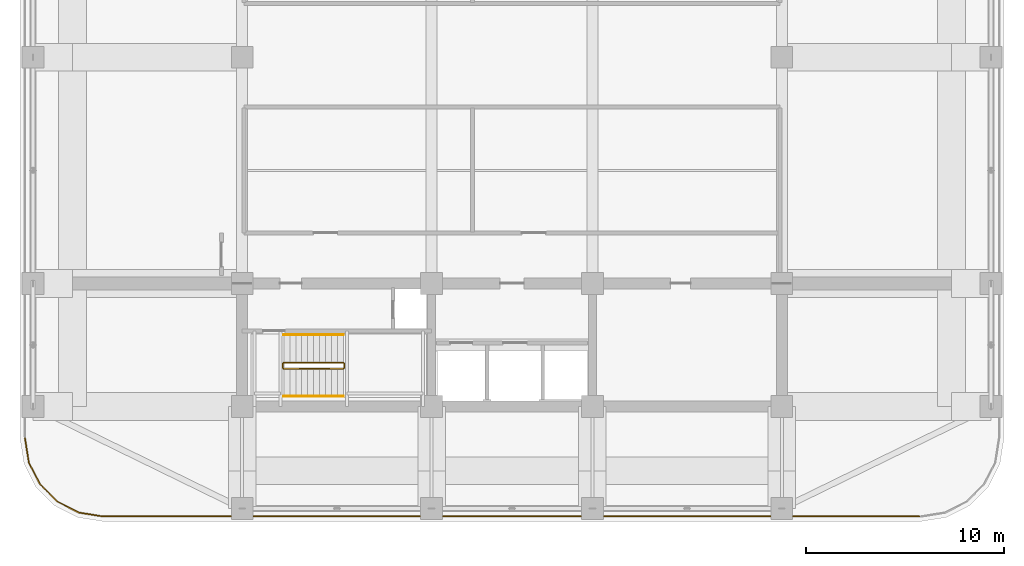
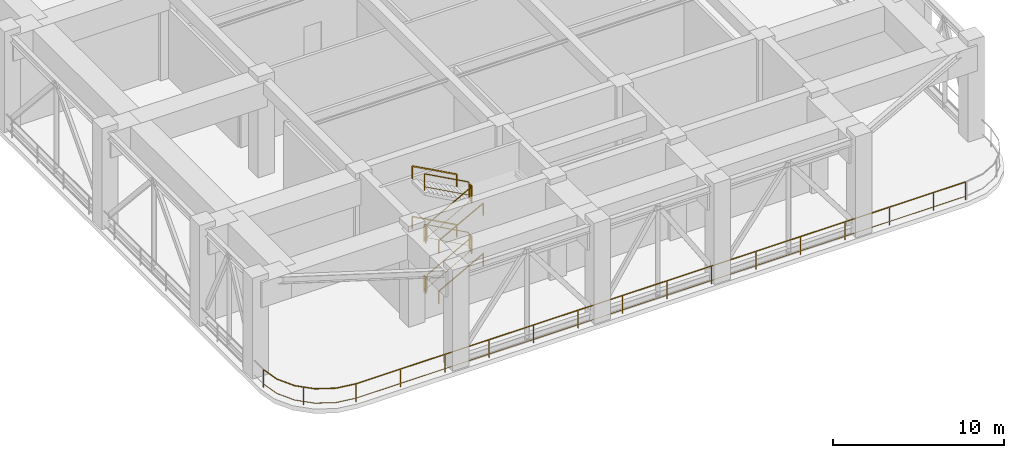
# One storey, part 18 of 20: 13 railings.
"""IFC4 building model written with IfcOpenShell, lengths in metres."""

from ifc_helpers import new_model, si_unit, direction, frame, origin, origin_2d, place, context, subcontext, project, spatial, rectangle, extrude, material, type_object, element, save


model = new_model("IFC4")

# Units and contexts
model_context = context("Model", 3, precision=1e-05, world=origin(), true_north=direction((0.0, 1.0)))
body_context = subcontext(model_context, "Body", "Model", "MODEL_VIEW")
ifc_project = project(units=[si_unit("LENGTHUNIT", "METRE"), si_unit("AREAUNIT", "SQUARE_METRE"), si_unit("VOLUMEUNIT", "CUBIC_METRE"), si_unit("PLANEANGLEUNIT", "RADIAN"), si_unit("MASSUNIT", "GRAM", prefix="KILO")], contexts=[model_context])

# Site, building, storey
site_placement = place(None, origin())
site = spatial("IfcSite", under=ifc_project, at=site_placement, CompositionType="ELEMENT")
building_placement = place(site_placement, origin())
building = spatial("IfcBuilding", under=site, at=building_placement, Name="Svetorya Sky Lyceum", CompositionType="ELEMENT")
storey_placement = place(building_placement, frame((0.0, 0.0, 136.39990234375)))
storey = spatial("IfcBuildingStorey", under=building, at=storey_placement, Name="L34", CompositionType="ELEMENT", Elevation=136.39990234375)

# Railings
ifc_material_1 = material(Name="Hot-dip galvanized wind-portal guard")
railing_type_1 = type_object("IfcRailingType", Name="RL-PRT-1300", PredefinedType="GUARDRAIL", material=ifc_material_1)
railing_1_placement = place(storey_placement, frame((14.64990234375, 9.0, 0.0)))
element("IfcRailing", 1, at=railing_1_placement, inside=storey, type_object=railing_type_1, Name="L34 Wind-Portal Deck Guard Quadrant 1", PredefinedType="GUARDRAIL", context=body_context, shape_type="SweptSolid", body=[
    extrude(rectangle(XDim=0.048095703125, YDim=0.048095703125, at=origin_2d()), frame((0.0, 0.0, 1.27587890625), z_axis=(0.156449457012, -0.987685965983, 0.0), x_axis=(0.987685965983, 0.156449457012, 0.0)), (0.0, 0.0, 1.0), 1.23583984375),
    extrude(rectangle(XDim=0.02392578125, YDim=0.02392578125, at=origin_2d()), frame((0.0, 0.0, 0.25), z_axis=(0.156449457012, -0.987685965983, 0.0), x_axis=(0.987685965983, 0.156449457012, 0.0)), (0.0, 0.0, 1.0), 1.23583984375),
    extrude(rectangle(XDim=0.048095703125, YDim=0.048095703125, at=origin_2d()), frame((0.193359375, -1.220703125, 1.27587890625), z_axis=(0.453996808381, -0.891003309747, 0.0), x_axis=(0.891003309747, 0.453996808381, 0.0)), (0.0, 0.0, 1.0), 1.23583984375),
    extrude(rectangle(XDim=0.02392578125, YDim=0.02392578125, at=origin_2d()), frame((0.193359375, -1.220703125, 0.25), z_axis=(0.453996808381, -0.891003309747, 0.0), x_axis=(0.891003309747, 0.453996808381, 0.0)), (0.0, 0.0, 1.0), 1.23583984375),
    extrude(rectangle(XDim=0.048095703125, YDim=0.048095703125, at=origin_2d()), frame((0.75439453125, -2.32177734375, 1.27587890625), z_axis=(0.707205546012, -0.707008002564, 0.0), x_axis=(0.707008002564, 0.707205546012, 0.0)), (0.0, 0.0, 1.0), 1.23583984375),
    extrude(rectangle(XDim=0.02392578125, YDim=0.02392578125, at=origin_2d()), frame((0.75439453125, -2.32177734375, 0.25), z_axis=(0.707205546012, -0.707008002564, 0.0), x_axis=(0.707008002564, 0.707205546012, 0.0)), (0.0, 0.0, 1.0), 1.23583984375),
    extrude(rectangle(XDim=0.048095703125, YDim=0.048095703125, at=origin_2d()), frame((1.62841796875, -3.195556640625, 1.27587890625), z_axis=(0.891003309747, -0.453996808381, 0.0), x_axis=(0.453996808381, 0.891003309747, 0.0)), (0.0, 0.0, 1.0), 1.23583984375),
    extrude(rectangle(XDim=0.02392578125, YDim=0.02392578125, at=origin_2d()), frame((1.62841796875, -3.195556640625, 0.25), z_axis=(0.891003309747, -0.453996808381, 0.0), x_axis=(0.453996808381, 0.891003309747, 0.0)), (0.0, 0.0, 1.0), 1.23583984375),
    extrude(rectangle(XDim=0.048095703125, YDim=0.048095703125, at=origin_2d()), frame((2.7294921875, -3.756591796875, 1.27587890625), z_axis=(0.987685965983, -0.156449457012, 0.0), x_axis=(0.156449457012, 0.987685965983, 0.0)), (0.0, 0.0, 1.0), 1.23583984375),
    extrude(rectangle(XDim=0.02392578125, YDim=0.02392578125, at=origin_2d()), frame((2.7294921875, -3.756591796875, 0.25), z_axis=(0.987685965983, -0.156449457012, 0.0), x_axis=(0.156449457012, 0.987685965983, 0.0)), (0.0, 0.0, 1.0), 1.23583984375),
    extrude(rectangle(XDim=0.048095703125, YDim=0.048095703125, at=origin_2d()), frame((3.9501953125, -3.949951171875, 1.27587890625), z_axis=(1.0, 0.0, 0.0), x_axis=(0.0, 1.0, 0.0)), (0.0, 0.0, 1.0), 41.139892578125),
    extrude(rectangle(XDim=0.02392578125, YDim=0.02392578125, at=origin_2d()), frame((3.9501953125, -3.949951171875, 0.25), z_axis=(1.0, 0.0, 0.0), x_axis=(0.0, 1.0, 0.0)), (0.0, 0.0, 1.0), 41.139892578125),
    extrude(rectangle(XDim=0.0419921875, YDim=0.0419921875, at=origin_2d()), origin(), (0.0, 0.0, 1.0), 1.251953125),
    extrude(rectangle(XDim=0.0419921875, YDim=0.0419921875, at=origin_2d()), frame((1.1279296875, -2.6953125, 0.0)), (0.0, 0.0, 1.0), 1.251953125),
    extrude(rectangle(XDim=0.0419921875, YDim=0.0419921875, at=origin_2d()), frame((3.9501953125, -3.949951171875, 0.0)), (0.0, 0.0, 1.0), 1.251953125),
    extrude(rectangle(XDim=0.0419921875, YDim=0.0419921875, at=origin_2d()), frame((6.9501953125, -3.949951171875, 0.0)), (0.0, 0.0, 1.0), 1.251953125),
    extrude(rectangle(XDim=0.0419921875, YDim=0.0419921875, at=origin_2d()), frame((9.9501953125, -3.949951171875, 0.0)), (0.0, 0.0, 1.0), 1.251953125),
    extrude(rectangle(XDim=0.0419921875, YDim=0.0419921875, at=origin_2d()), frame((12.9501953125, -3.949951171875, 0.0)), (0.0, 0.0, 1.0), 1.251953125),
    extrude(rectangle(XDim=0.0419921875, YDim=0.0419921875, at=origin_2d()), frame((15.9501953125, -3.949951171875, 0.0)), (0.0, 0.0, 1.0), 1.251953125),
    extrude(rectangle(XDim=0.0419921875, YDim=0.0419921875, at=origin_2d()), frame((18.9501953125, -3.949951171875, 0.0)), (0.0, 0.0, 1.0), 1.251953125),
    extrude(rectangle(XDim=0.0419921875, YDim=0.0419921875, at=origin_2d()), frame((21.9501953125, -3.949951171875, 0.0)), (0.0, 0.0, 1.0), 1.251953125),
    extrude(rectangle(XDim=0.0419921875, YDim=0.0419921875, at=origin_2d()), frame((24.9501953125, -3.949951171875, 0.0)), (0.0, 0.0, 1.0), 1.251953125),
    extrude(rectangle(XDim=0.0419921875, YDim=0.0419921875, at=origin_2d()), frame((27.9501953125, -3.949951171875, 0.0)), (0.0, 0.0, 1.0), 1.251953125),
    extrude(rectangle(XDim=0.0419921875, YDim=0.0419921875, at=origin_2d()), frame((30.9501953125, -3.949951171875, 0.0)), (0.0, 0.0, 1.0), 1.251953125),
    extrude(rectangle(XDim=0.0419921875, YDim=0.0419921875, at=origin_2d()), frame((33.9501953125, -3.949951171875, 0.0)), (0.0, 0.0, 1.0), 1.251953125),
    extrude(rectangle(XDim=0.0419921875, YDim=0.0419921875, at=origin_2d()), frame((36.9501953125, -3.949951171875, 0.0)), (0.0, 0.0, 1.0), 1.251953125),
    extrude(rectangle(XDim=0.0419921875, YDim=0.0419921875, at=origin_2d()), frame((39.9501953125, -3.949951171875, 0.0)), (0.0, 0.0, 1.0), 1.251953125),
    extrude(rectangle(XDim=0.0419921875, YDim=0.0419921875, at=origin_2d()), frame((42.9501953125, -3.949951171875, 0.0)), (0.0, 0.0, 1.0), 1.251953125),
    extrude(rectangle(XDim=0.0419921875, YDim=0.0419921875, at=origin_2d()), frame((45.090087890625, -3.949951171875, 0.0)), (0.0, 0.0, 1.0), 1.251953125),
])
ifc_material_2 = material(Name="Painted galvanized stair well guard")
railing_type_2 = type_object("IfcRailingType", Name="RL-STR-GUARD-1200", PredefinedType="GUARDRAIL", material=ifc_material_2)
railing_2_placement = place(storey_placement, frame((27.699951171875, 12.5, 0.163818359375)))
element("IfcRailing", 2, at=railing_2_placement, inside=storey, type_object=railing_type_2, Name="L34 ST-S stair guard 1", PredefinedType="GUARDRAIL", context=body_context, shape_type="SweptSolid", body=[
    extrude(rectangle(XDim=0.048095703125, YDim=0.048095703125, at=origin_2d()), frame((0.0, 0.0, 1.17578125), z_axis=(0.877911954615, 0.0, 0.47882209634), x_axis=(0.0, 1.0, 0.0)), (0.0, 0.0, 1.0), 3.417236328125),
    extrude(rectangle(XDim=0.02392578125, YDim=0.02392578125, at=origin_2d()), frame((0.0, 0.0, 0.25), z_axis=(0.877911954615, 0.0, 0.47882209634), x_axis=(0.0, 1.0, 0.0)), (0.0, 0.0, 1.0), 3.417236328125),
    extrude(rectangle(XDim=0.0419921875, YDim=0.0419921875, at=origin_2d()), origin(), (0.0, 0.0, 1.0), 1.15185546875),
    extrude(rectangle(XDim=0.0419921875, YDim=0.0419921875, at=origin_2d()), frame((3.0, 0.0, 1.63623046875)), (0.0, 0.0, 1.0), 1.15185546875),
])
railing_3_placement = place(storey_placement, frame((30.75, 12.550048828125, 1.800048828125)))
element("IfcRailing", 3, at=railing_3_placement, inside=storey, type_object=railing_type_2, Name="L34 ST-S stair guard 2", PredefinedType="GUARDRAIL", context=body_context, shape_type="SweptSolid", body=[
    extrude(rectangle(XDim=0.048095703125, YDim=0.048095703125, at=origin_2d()), frame((0.0, 0.0, 1.17578125), z_axis=(0.0, 1.0, 0.0), x_axis=(-1.0, 0.0, 0.0)), (0.0, 0.0, 1.0), 0.199951171875),
    extrude(rectangle(XDim=0.02392578125, YDim=0.02392578125, at=origin_2d()), frame((0.0, 0.0, 0.25), z_axis=(0.0, 1.0, 0.0), x_axis=(-1.0, 0.0, 0.0)), (0.0, 0.0, 1.0), 0.199951171875),
    extrude(rectangle(XDim=0.0419921875, YDim=0.0419921875, at=origin_2d()), origin(), (0.0, 0.0, 1.0), 1.15185546875),
    extrude(rectangle(XDim=0.0419921875, YDim=0.0419921875, at=origin_2d()), frame((0.0, 0.199951171875, 0.0)), (0.0, 0.0, 1.0), 1.15185546875),
])
railing_4_placement = place(storey_placement, frame((30.699951171875, 12.800048828125, 1.963623046875)))
element("IfcRailing", 4, at=railing_4_placement, inside=storey, type_object=railing_type_2, Name="L34 ST-S stair guard 3", PredefinedType="GUARDRAIL", context=body_context, shape_type="SweptSolid", body=[
    extrude(rectangle(XDim=0.048095703125, YDim=0.048095703125, at=origin_2d()), frame((0.0, 0.0, 1.17578125), z_axis=(-0.877881921179, 0.0, 0.478877158013), x_axis=(0.0, -1.0, 0.0)), (0.0, 0.0, 1.0), 3.417236328125),
    extrude(rectangle(XDim=0.02392578125, YDim=0.02392578125, at=origin_2d()), frame((0.0, 0.0, 0.25), z_axis=(-0.877881921179, 0.0, 0.478877158013), x_axis=(0.0, -1.0, 0.0)), (0.0, 0.0, 1.0), 3.417236328125),
    extrude(rectangle(XDim=0.0419921875, YDim=0.0419921875, at=origin_2d()), origin(), (0.0, 0.0, 1.0), 1.15185546875),
    extrude(rectangle(XDim=0.0419921875, YDim=0.0419921875, at=origin_2d()), frame((-3.0, 0.0, 1.636474609375)), (0.0, 0.0, 1.0), 1.15185546875),
])
railing_5_placement = place(storey_placement, frame((27.64990234375, 12.550048828125, 3.60009765625)))
element("IfcRailing", 5, at=railing_5_placement, inside=storey, type_object=railing_type_2, Name="L34 ST-S stair guard 4", PredefinedType="GUARDRAIL", context=body_context, shape_type="SweptSolid", body=[
    extrude(rectangle(XDim=0.048095703125, YDim=0.048095703125, at=origin_2d()), frame((0.0, 0.0, 1.17578125), z_axis=(0.0, 1.0, 0.0), x_axis=(-1.0, 0.0, 0.0)), (0.0, 0.0, 1.0), 0.199951171875),
    extrude(rectangle(XDim=0.02392578125, YDim=0.02392578125, at=origin_2d()), frame((0.0, 0.0, 0.25), z_axis=(0.0, 1.0, 0.0), x_axis=(-1.0, 0.0, 0.0)), (0.0, 0.0, 1.0), 0.199951171875),
    extrude(rectangle(XDim=0.0419921875, YDim=0.0419921875, at=origin_2d()), origin(), (0.0, 0.0, 1.0), 1.15185546875),
    extrude(rectangle(XDim=0.0419921875, YDim=0.0419921875, at=origin_2d()), frame((0.0, 0.199951171875, 0.0)), (0.0, 0.0, 1.0), 1.15185546875),
])
railing_6_placement = place(storey_placement, frame((27.699951171875, 12.5, 3.763671875)))
element("IfcRailing", 6, at=railing_6_placement, inside=storey, type_object=railing_type_2, Name="L34 ST-S stair guard 5", PredefinedType="GUARDRAIL", context=body_context, shape_type="SweptSolid", body=[
    extrude(rectangle(XDim=0.048095703125, YDim=0.048095703125, at=origin_2d()), frame((0.0, 0.0, 1.17578125), z_axis=(0.877881921179, 0.0, 0.478877158013), x_axis=(0.0, 1.0, 0.0)), (0.0, 0.0, 1.0), 3.417236328125),
    extrude(rectangle(XDim=0.02392578125, YDim=0.02392578125, at=origin_2d()), frame((0.0, 0.0, 0.25), z_axis=(0.877881921179, 0.0, 0.478877158013), x_axis=(0.0, 1.0, 0.0)), (0.0, 0.0, 1.0), 3.417236328125),
    extrude(rectangle(XDim=0.0419921875, YDim=0.0419921875, at=origin_2d()), origin(), (0.0, 0.0, 1.0), 1.15185546875),
    extrude(rectangle(XDim=0.0419921875, YDim=0.0419921875, at=origin_2d()), frame((3.0, 0.0, 1.636474609375)), (0.0, 0.0, 1.0), 1.15185546875),
])
railing_7_placement = place(storey_placement, frame((30.75, 12.550048828125, 5.400146484375)))
element("IfcRailing", 7, at=railing_7_placement, inside=storey, type_object=railing_type_2, Name="L34 ST-S stair guard 6", PredefinedType="GUARDRAIL", context=body_context, shape_type="SweptSolid", body=[
    extrude(rectangle(XDim=0.048095703125, YDim=0.048095703125, at=origin_2d()), frame((0.0, 0.0, 1.17578125), z_axis=(0.0, 1.0, 0.0), x_axis=(-1.0, 0.0, 0.0)), (0.0, 0.0, 1.0), 0.199951171875),
    extrude(rectangle(XDim=0.02392578125, YDim=0.02392578125, at=origin_2d()), frame((0.0, 0.0, 0.25), z_axis=(0.0, 1.0, 0.0), x_axis=(-1.0, 0.0, 0.0)), (0.0, 0.0, 1.0), 0.199951171875),
    extrude(rectangle(XDim=0.0419921875, YDim=0.0419921875, at=origin_2d()), origin(), (0.0, 0.0, 1.0), 1.15185546875),
    extrude(rectangle(XDim=0.0419921875, YDim=0.0419921875, at=origin_2d()), frame((0.0, 0.199951171875, 0.0)), (0.0, 0.0, 1.0), 1.15185546875),
])
railing_8_placement = place(storey_placement, frame((30.699951171875, 12.800048828125, 5.563720703125)))
element("IfcRailing", 8, at=railing_8_placement, inside=storey, type_object=railing_type_2, Name="L34 ST-S stair guard 7", PredefinedType="GUARDRAIL", context=body_context, shape_type="SweptSolid", body=[
    extrude(rectangle(XDim=0.048095703125, YDim=0.048095703125, at=origin_2d()), frame((0.0, 0.0, 1.17578125), z_axis=(-0.877881921179, 0.0, 0.478877158013), x_axis=(0.0, -1.0, 0.0)), (0.0, 0.0, 1.0), 3.417236328125),
    extrude(rectangle(XDim=0.02392578125, YDim=0.02392578125, at=origin_2d()), frame((0.0, 0.0, 0.25), z_axis=(-0.877881921179, 0.0, 0.478877158013), x_axis=(0.0, -1.0, 0.0)), (0.0, 0.0, 1.0), 3.417236328125),
    extrude(rectangle(XDim=0.0419921875, YDim=0.0419921875, at=origin_2d()), origin(), (0.0, 0.0, 1.0), 1.15185546875),
    extrude(rectangle(XDim=0.0419921875, YDim=0.0419921875, at=origin_2d()), frame((-3.0, 0.0, 1.636474609375)), (0.0, 0.0, 1.0), 1.15185546875),
])
railing_9_placement = place(storey_placement, frame((27.64990234375, 12.550048828125, 0.0)))
element("IfcRailing", 9, at=railing_9_placement, inside=storey, type_object=railing_type_2, Name="L34 ST-S stair guard 8", PredefinedType="GUARDRAIL", context=body_context, shape_type="SweptSolid", body=[
    extrude(rectangle(XDim=0.048095703125, YDim=0.048095703125, at=origin_2d()), frame((0.0, 0.0, 1.17578125), z_axis=(0.0, 1.0, 0.0), x_axis=(-1.0, 0.0, 0.0)), (0.0, 0.0, 1.0), 0.199951171875),
    extrude(rectangle(XDim=0.02392578125, YDim=0.02392578125, at=origin_2d()), frame((0.0, 0.0, 0.25), z_axis=(0.0, 1.0, 0.0), x_axis=(-1.0, 0.0, 0.0)), (0.0, 0.0, 1.0), 0.199951171875),
    extrude(rectangle(XDim=0.0419921875, YDim=0.0419921875, at=origin_2d()), origin(), (0.0, 0.0, 1.0), 1.15185546875),
    extrude(rectangle(XDim=0.0419921875, YDim=0.0419921875, at=origin_2d()), frame((0.0, 0.199951171875, 0.0)), (0.0, 0.0, 1.0), 1.15185546875),
])
ifc_material_3 = material(Name="Brushed stainless AISI 304 stair handrail")
railing_type_3 = type_object("IfcRailingType", Name="RL-STR-HAND-920", PredefinedType="HANDRAIL", material=ifc_material_3)
railing_10_placement = place(storey_placement, frame((27.699951171875, 11.10009765625, 0.163818359375)))
element("IfcRailing", 10, at=railing_10_placement, inside=storey, type_object=railing_type_3, Name="L34 ST-S stair handrail 1", PredefinedType="HANDRAIL", context=body_context, shape_type="SweptSolid", body=[
    extrude(rectangle(XDim=0.048095703125, YDim=0.048095703125, at=origin_2d()), frame((0.0, 0.0, 0.8759765625), z_axis=(0.877911954615, 0.0, 0.47882209634), x_axis=(0.0, 1.0, 0.0)), (0.0, 0.0, 1.0), 3.417236328125),
    extrude(rectangle(XDim=0.0419921875, YDim=0.0419921875, at=origin_2d()), origin(), (0.0, 0.0, 1.0), 0.851806640625),
    extrude(rectangle(XDim=0.0419921875, YDim=0.0419921875, at=origin_2d()), frame((3.0, 0.0, 1.63623046875)), (0.0, 0.0, 1.0), 0.851806640625),
])
railing_11_placement = place(storey_placement, frame((30.699951171875, 14.199951171875, 1.963623046875)))
element("IfcRailing", 11, at=railing_11_placement, inside=storey, type_object=railing_type_3, Name="L34 ST-S stair handrail 2", PredefinedType="HANDRAIL", context=body_context, shape_type="SweptSolid", body=[
    extrude(rectangle(XDim=0.048095703125, YDim=0.048095703125, at=origin_2d()), frame((0.0, 0.0, 0.8759765625), z_axis=(-0.877881921179, 0.0, 0.478877158013), x_axis=(0.0, -1.0, 0.0)), (0.0, 0.0, 1.0), 3.417236328125),
    extrude(rectangle(XDim=0.0419921875, YDim=0.0419921875, at=origin_2d()), origin(), (0.0, 0.0, 1.0), 0.851806640625),
    extrude(rectangle(XDim=0.0419921875, YDim=0.0419921875, at=origin_2d()), frame((-3.0, 0.0, 1.636474609375)), (0.0, 0.0, 1.0), 0.851806640625),
])
railing_12_placement = place(storey_placement, frame((27.699951171875, 11.10009765625, 3.763671875)))
element("IfcRailing", 12, at=railing_12_placement, inside=storey, type_object=railing_type_3, Name="L34 ST-S stair handrail 3", PredefinedType="HANDRAIL", context=body_context, shape_type="SweptSolid", body=[
    extrude(rectangle(XDim=0.048095703125, YDim=0.048095703125, at=origin_2d()), frame((0.0, 0.0, 0.8759765625), z_axis=(0.877881921179, 0.0, 0.478877158013), x_axis=(0.0, 1.0, 0.0)), (0.0, 0.0, 1.0), 3.417236328125),
    extrude(rectangle(XDim=0.0419921875, YDim=0.0419921875, at=origin_2d()), origin(), (0.0, 0.0, 1.0), 0.851806640625),
    extrude(rectangle(XDim=0.0419921875, YDim=0.0419921875, at=origin_2d()), frame((3.0, 0.0, 1.636474609375)), (0.0, 0.0, 1.0), 0.851806640625),
])
railing_13_placement = place(storey_placement, frame((30.699951171875, 14.199951171875, 5.563720703125)))
element("IfcRailing", 13, at=railing_13_placement, inside=storey, type_object=railing_type_3, Name="L34 ST-S stair handrail 4", PredefinedType="HANDRAIL", context=body_context, shape_type="SweptSolid", body=[
    extrude(rectangle(XDim=0.048095703125, YDim=0.048095703125, at=origin_2d()), frame((0.0, 0.0, 0.8759765625), z_axis=(-0.877881921179, 0.0, 0.478877158013), x_axis=(0.0, -1.0, 0.0)), (0.0, 0.0, 1.0), 3.417236328125),
    extrude(rectangle(XDim=0.0419921875, YDim=0.0419921875, at=origin_2d()), origin(), (0.0, 0.0, 1.0), 0.851806640625),
    extrude(rectangle(XDim=0.0419921875, YDim=0.0419921875, at=origin_2d()), frame((-3.0, 0.0, 1.636474609375)), (0.0, 0.0, 1.0), 0.851806640625),
])

save(model, "model.ifc")
